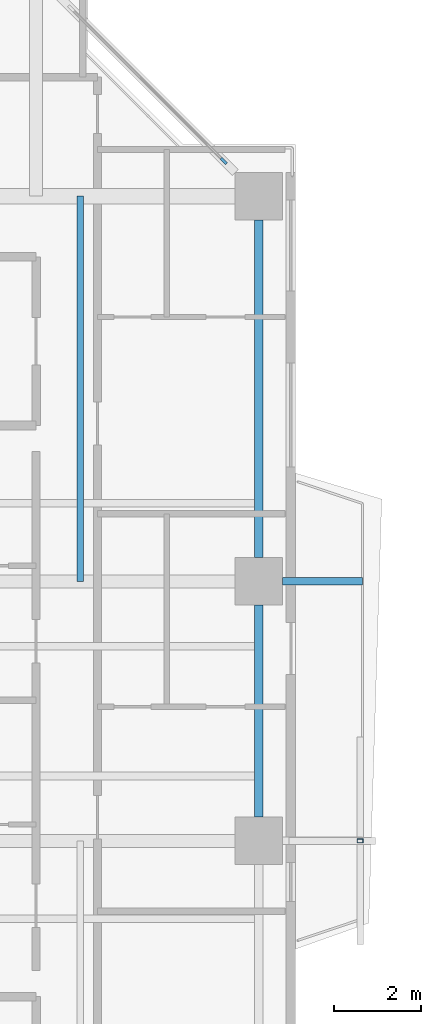
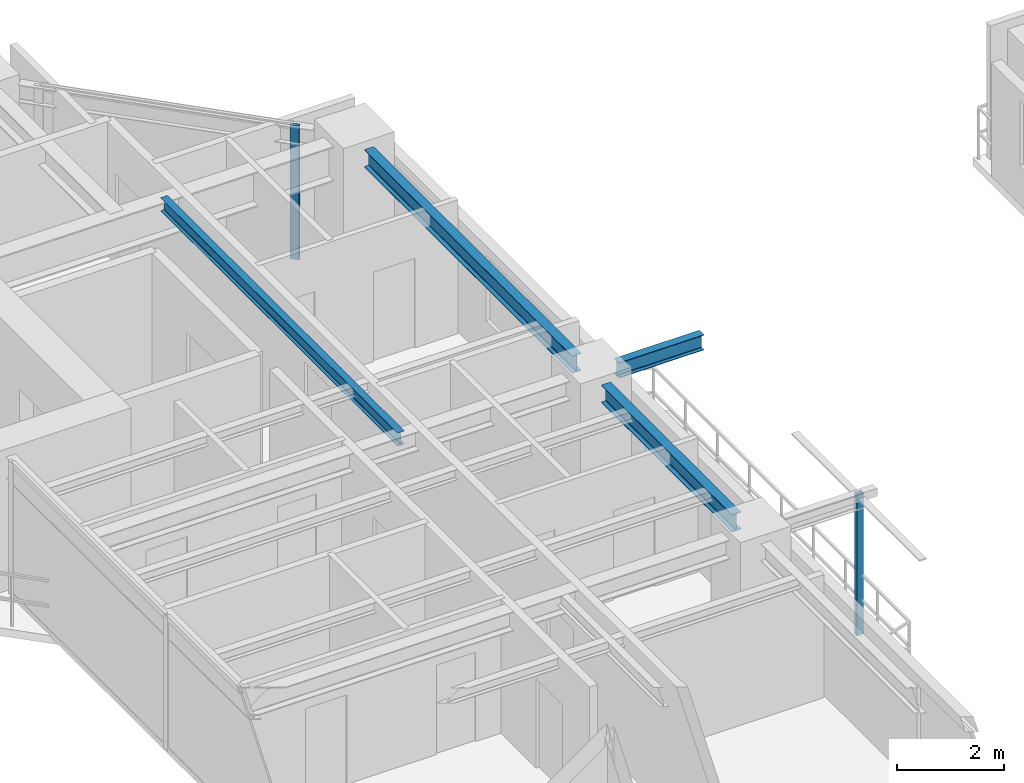
# One storey, part 8 of 24: 4 beams, 2 members, 1 element without a shape of its own.
"""IFC4 building model written with IfcOpenShell, lengths in metres."""

from ifc_helpers import new_model, si_unit, direction, frame, origin, origin_2d, place, context, subcontext, project, spatial, rectangle, hollow_rectangle, i_section, extrude, source, transform, mapped, material, layer, layer_set, material_profile, profile_set, type_object, element, aggregate, save


model = new_model("IFC4")

# Units and contexts
model_context = context("Model", 3, precision=1e-05, world=origin(), true_north=direction((0.0, 1.0)))
body_context = subcontext(model_context, "Body", "Model", "MODEL_VIEW")
ifc_project = project(units=[si_unit("LENGTHUNIT", "METRE"), si_unit("AREAUNIT", "SQUARE_METRE"), si_unit("VOLUMEUNIT", "CUBIC_METRE"), si_unit("PLANEANGLEUNIT", "RADIAN"), si_unit("MASSUNIT", "GRAM", prefix="KILO"), si_unit("THERMODYNAMICTEMPERATUREUNIT", "KELVIN"), si_unit("POWERUNIT", "WATT")], contexts=[model_context])

# Site, building, storey
site_placement = place(None, origin())
site = spatial("IfcSite", under=ifc_project, at=site_placement, CompositionType="ELEMENT")
building_placement = place(site_placement, origin())
building = spatial("IfcBuilding", under=site, at=building_placement, Name="Qiaomeng Ring Towers", CompositionType="ELEMENT")
storey_placement = place(building_placement, frame((0.0, 0.0, 110.0)))
storey = spatial("IfcBuildingStorey", under=building, at=storey_placement, Name="L31", CompositionType="ELEMENT", Elevation=110.0)

# Beams
ifc_material_1 = material(Name="Steel Q355B", Category="steel")
ifc_material_profile_1 = material_profile(ifc_material_1, i_section(OverallWidth=0.199951171875, OverallDepth=0.39990234375, WebThickness=0.008056640625, FlangeThickness=0.012939453125, FilletRadius=0.01611328125, at=origin_2d()), Name="HN 400x200x8x13")
ifc_profile_set_1 = profile_set([ifc_material_profile_1], Name="Steel Q355B")
beam_type_1 = type_object("IfcBeamType", Name="STR-BM-HN400", PredefinedType="SPANDREL", material=ifc_profile_set_1)
shared_shape_1 = source(origin(), body_context, "Body", "SweptSolid", [
    extrude(i_section(OverallWidth=0.199951171875, OverallDepth=0.39990234375, WebThickness=0.008056640625, FlangeThickness=0.012939453125, FilletRadius=0.01611328125, at=origin_2d()), origin(), (0.0, 0.0, 1.0), 7.802001953125),
])
beam_1_placement = place(storey_placement, frame((36.050048828125, 26.549072265625, 2.8701171875), z_axis=(0.0, 1.0, 0.0), x_axis=(-1.0, 0.0, 0.0)))
element("IfcBeam", 1, at=beam_1_placement, inside=storey, type_object=beam_type_1, Name="L31 beam STR-SP-L31-T1-E3-E4", PredefinedType="SPANDREL", context=body_context, shape_type="MappedRepresentation", body=[
    mapped(shared_shape_1, transform((0.0, 0.0, 0.0), x_axis=(1.0, 0.0, 0.0), y_axis=(0.0, 1.0, 0.0), z_axis=(0.0, 0.0, 1.0), scale=1.0)),
])
shared_shape_2 = source(origin(), body_context, "Body", "SweptSolid", [
    extrude(i_section(OverallWidth=0.199951171875, OverallDepth=0.39990234375, WebThickness=0.008056640625, FlangeThickness=0.012939453125, FilletRadius=0.01611328125, at=origin_2d()), origin(), (0.0, 0.0, 1.0), 4.90185546875),
])
beam_2_placement = place(storey_placement, frame((36.050048828125, 20.549072265625, 2.8701171875), z_axis=(0.0, 1.0, 0.0), x_axis=(-1.0, 0.0, 0.0)))
element("IfcBeam", 2, at=beam_2_placement, inside=storey, type_object=beam_type_1, Name="L31 beam STR-SP-L31-T1-E2-E3", PredefinedType="SPANDREL", context=body_context, shape_type="MappedRepresentation", body=[
    mapped(shared_shape_2, transform((0.0, 0.0, 0.0), x_axis=(1.0, 0.0, 0.0), y_axis=(0.0, 1.0, 0.0), z_axis=(0.0, 0.0, 1.0), scale=1.0)),
])
ifc_material_profile_2 = material_profile(ifc_material_1, i_section(OverallWidth=0.175048828125, OverallDepth=0.35009765625, WebThickness=0.007080078125, FlangeThickness=0.010986328125, FilletRadius=0.013916015625, at=origin_2d()), Name="HN 350x175x7x11")
ifc_profile_set_2 = profile_set([ifc_material_profile_2], Name="Steel Q355B")
beam_type_2 = type_object("IfcBeamType", Name="STR-BM-HN350", PredefinedType="JOIST", material=ifc_profile_set_2)
shared_shape_3 = source(origin(), body_context, "Body", "SweptSolid", [
    extrude(i_section(OverallWidth=0.175048828125, OverallDepth=0.35009765625, WebThickness=0.007080078125, FlangeThickness=0.010986328125, FilletRadius=0.013916015625, at=origin_2d()), origin(), (0.0, 0.0, 1.0), 1.8408203125),
])
beam_3_placement = place(storey_placement, frame((36.59912109375, 26.0, 2.89501953125), z_axis=(1.0, 0.0, 0.0), x_axis=(0.0, 1.0, 0.0)))
element("IfcBeam", 3, at=beam_3_placement, inside=storey, type_object=beam_type_2, Name="L31 beam STR-BALBM-L31-E3", PredefinedType="JOIST", context=body_context, shape_type="MappedRepresentation", body=[
    mapped(shared_shape_3, transform((0.0, 0.0, 0.0), x_axis=(1.0, 0.0, 0.0), y_axis=(0.0, 1.0, 0.0), z_axis=(0.0, 0.0, 1.0), scale=1.0)),
])
ifc_material_profile_3 = material_profile(ifc_material_1, i_section(OverallWidth=0.14990234375, OverallDepth=0.300048828125, WebThickness=0.006591796875, FlangeThickness=0.009033203125, FilletRadius=0.012939453125, at=origin_2d()), Name="HN 300x150x6.5x9")
ifc_profile_set_3 = profile_set([ifc_material_profile_3], Name="Steel Q355B")
beam_type_3 = type_object("IfcBeamType", Name="STR-BM-HN300", PredefinedType="JOIST", material=ifc_profile_set_3)
shared_shape_4 = source(origin(), body_context, "Body", "SweptSolid", [
    extrude(i_section(OverallWidth=0.14990234375, OverallDepth=0.300048828125, WebThickness=0.006591796875, FlangeThickness=0.009033203125, FilletRadius=0.012939453125, at=origin_2d()), origin(), (0.0, 0.0, 1.0), 8.89990234375),
])
beam_4_placement = place(storey_placement, frame((31.925048828125, 26.0, 2.919921875), z_axis=(0.0, 1.0, 0.0), x_axis=(-1.0, 0.0, 0.0)))
element("IfcBeam", 4, at=beam_4_placement, inside=storey, type_object=beam_type_3, Name="L31 beam STR-JST-L31-T1C-EN", PredefinedType="JOIST", context=body_context, shape_type="MappedRepresentation", body=[
    mapped(shared_shape_4, transform((0.0, 0.0, 0.0), x_axis=(1.0, 0.0, 0.0), y_axis=(0.0, 1.0, 0.0), z_axis=(0.0, 0.0, 1.0), scale=1.0)),
])

# Curtain wall, member
ifc_material_2 = material(Name="Fluorocarbon dark-grey aluminium", Category="aluminium")
ifc_layer = layer(ifc_material_2, 0.14990234375, Name="Fluorocarbon dark-grey aluminium")
ifc_layer_set = layer_set([ifc_layer], Name="Fluorocarbon dark-grey aluminium")
curtain_wall_type = type_object("IfcCurtainWallType", Name="ARC-CW-3", PredefinedType="NOTDEFINED", material=ifc_layer_set)
curtain_wall_placement = place(storey_placement, origin())
curtain_wall = element("IfcCurtainWall", 5, at=curtain_wall_placement, inside=storey, type_object=curtain_wall_type, Name="L31 Curtain Wall CW3", PredefinedType="NOTDEFINED")
ifc_material_profile_4 = material_profile(ifc_material_2, rectangle(XDim=0.070068359375, YDim=0.179931640625, at=origin_2d()), Name="ALU MULL 70x180")
ifc_profile_set_4 = profile_set([ifc_material_profile_4], Name="Fluorocarbon dark-grey aluminium")
member_type_1 = type_object("IfcMemberType", Name="ARC-CWM-160", PredefinedType="MULLION", material=ifc_profile_set_4)
shared_shape_5 = source(origin(), body_context, "Body", "SweptSolid", [
    extrude(rectangle(XDim=0.070068359375, YDim=0.179931640625, at=origin_2d()), origin(), (0.0, 0.0, 1.0), 3.070068359375),
])
member_1_placement = place(storey_placement, frame((35.2353515625, 35.71484375, 0.0), z_axis=(0.0, 0.0, 1.0), x_axis=(-0.707106781187, -0.707106781187, 0.0)))
member_1 = element("IfcMember", 6, at=member_1_placement, type_object=member_type_1, Name="CW3 mullion 1", PredefinedType="MULLION", context=body_context, shape_type="MappedRepresentation", body=[
    mapped(shared_shape_5, transform((0.0, 0.0, 0.0), x_axis=(1.0, 0.0, 0.0), y_axis=(0.0, 1.0, 0.0), z_axis=(0.0, 0.0, 1.0), scale=1.0)),
])
aggregate(curtain_wall, [member_1])

# Member
ifc_material_3 = material(Name="Stainless steel 316", Category="steel")
ifc_material_profile_5 = material_profile(ifc_material_3, hollow_rectangle(XDim=0.090087890625, YDim=0.139892578125, WallThickness=0.0048828125, at=origin_2d()), Name="SS TRELLIS 90x140")
ifc_profile_set_5 = profile_set([ifc_material_profile_5], Name="Stainless steel 316")
member_type_2 = type_object("IfcMemberType", Name="ARC-TR-POST1", PredefinedType="STUD", material=ifc_profile_set_5)
shared_shape_6 = source(origin(), body_context, "Body", "SweptSolid", [
    extrude(hollow_rectangle(XDim=0.090087890625, YDim=0.139892578125, WallThickness=0.0048828125, at=origin_2d()), origin(), (0.0, 0.0, 1.0), 3.25),
])
member_2_placement = place(storey_placement, frame((38.389892578125, 20.0, -0.179931640625), z_axis=(0.0, 0.0, 1.0), x_axis=(0.0, 1.0, 0.0)))
element("IfcMember", 7, at=member_2_placement, inside=storey, type_object=member_type_2, Name="L31 Outer Ventilated Trellis Post E", PredefinedType="STUD", context=body_context, shape_type="MappedRepresentation", body=[
    mapped(shared_shape_6, transform((0.0, 0.0, 0.0), x_axis=(1.0, 0.0, 0.0), y_axis=(0.0, 1.0, 0.0), z_axis=(0.0, 0.0, 1.0), scale=1.0)),
])

save(model, "model.ifc")
